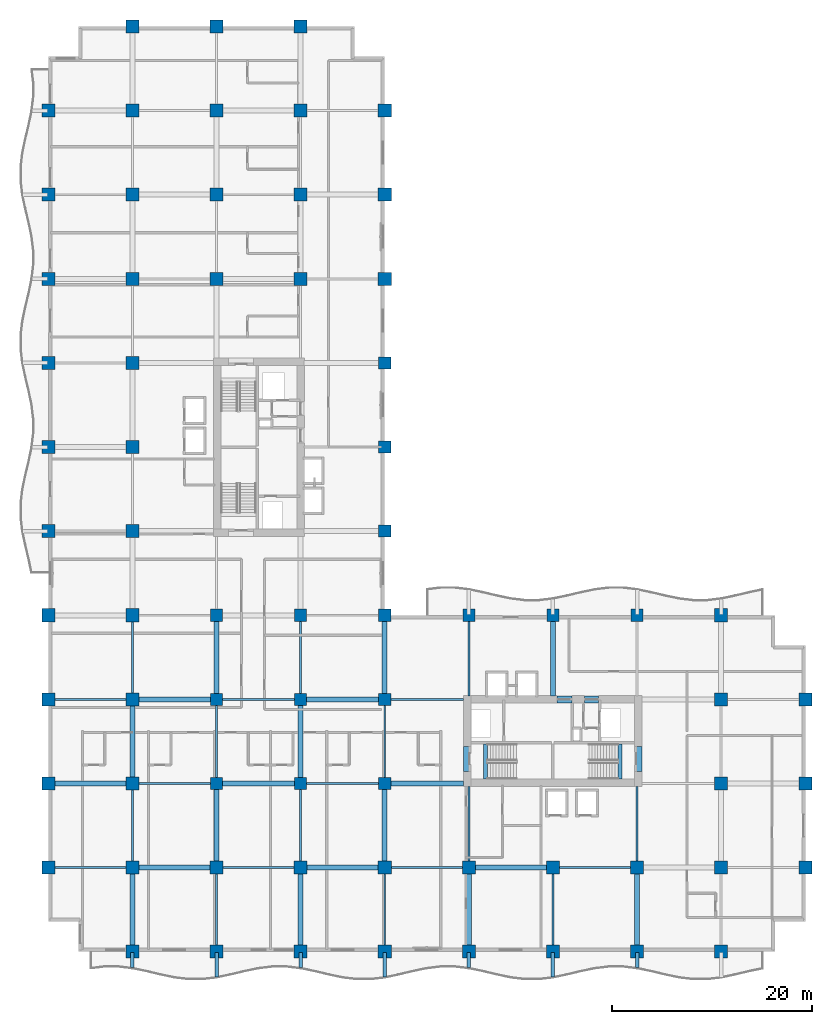
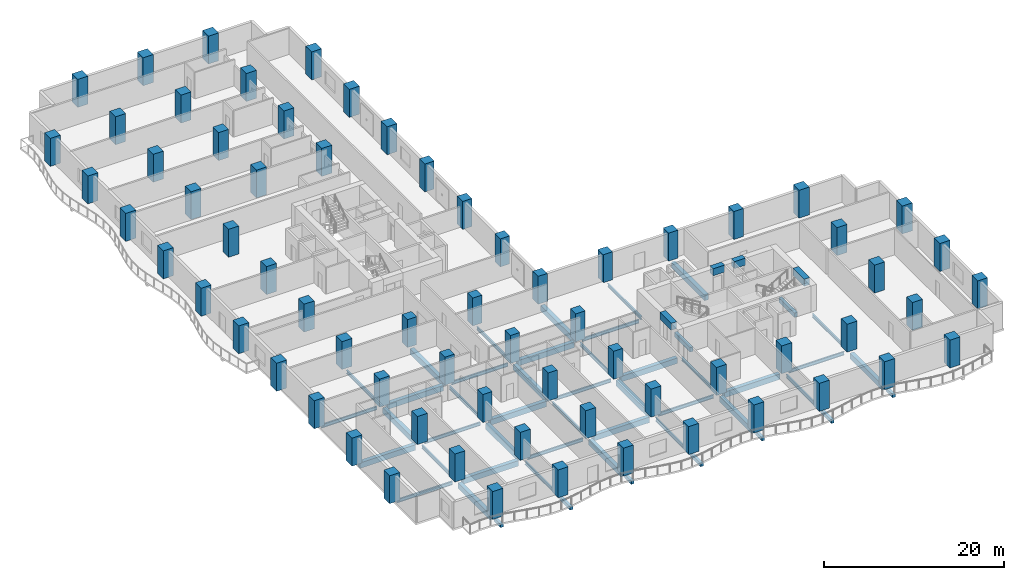
# One storey, part 1 of 17: 68 columns, 53 beams.
"""IFC4 building model written with IfcOpenShell, lengths in metres."""

from ifc_helpers import new_model, si_unit, direction, frame, origin, origin_2d, place, context, subcontext, project, spatial, rectangle, i_section, extrude, material, material_profile, profile_set, type_object, element, save


model = new_model("IFC4")

# Units and contexts
model_context = context("Model", 3, precision=1e-05, world=origin(), true_north=direction((0.0, 1.0)))
body_context = subcontext(model_context, "Body", "Model", "MODEL_VIEW")
ifc_project = project(units=[si_unit("LENGTHUNIT", "METRE"), si_unit("AREAUNIT", "SQUARE_METRE"), si_unit("VOLUMEUNIT", "CUBIC_METRE"), si_unit("PLANEANGLEUNIT", "RADIAN"), si_unit("MASSUNIT", "GRAM", prefix="KILO")], contexts=[model_context])

# Site, building, storey
site_placement = place(None, origin())
site = spatial("IfcSite", under=ifc_project, at=site_placement, CompositionType="ELEMENT")
building_placement = place(site_placement, origin())
building = spatial("IfcBuilding", under=site, at=building_placement, Name="Koriwani Terraces Tower", CompositionType="ELEMENT")
storey_placement = place(building_placement, frame((0.0, 0.0, 130.39990234375)))
storey = spatial("IfcBuildingStorey", under=building, at=storey_placement, Name="L31", CompositionType="ELEMENT", Elevation=130.39990234375)

# Columns
ifc_material_1 = material(Name="Concrete C60/75", Category="concrete")
ifc_material_profile_1 = material_profile(ifc_material_1, rectangle(XDim=1.199951171875, YDim=1.199951171875, at=origin_2d()), Name="Concrete C60/75", Category="LoadBearing")
ifc_profile_set_1 = profile_set([ifc_material_profile_1], Name="Concrete C60/75")
column_type_1 = type_object("IfcColumnType", Name="COL_RC_1200X1200", PredefinedType="COLUMN", material=ifc_profile_set_1)
for number, where, z_axis, x_axis, name in (
    (1, (16.800048828125, 16.800048828125, 0.0), (0.0, 0.0, 1.0), (1.0, 0.0, 0.0), "L31 Column 3/C"),
    (2, (16.800048828125, 25.199951171875, 0.0), (0.0, 0.0, 1.0), (1.0, 0.0, 0.0), "L31 Column 3/D"),
    (3, (16.800048828125, 33.60009765625, 0.0), (0.0, 0.0, 1.0), (1.0, 0.0, 0.0), "L31 Column 3/E"),
    (4, (25.199951171875, 16.800048828125, 0.0), (0.0, 0.0, 1.0), (1.0, 0.0, 0.0), "L31 Column 4/C"),
    (5, (25.199951171875, 25.199951171875, 0.0), (0.0, 0.0, 1.0), (1.0, 0.0, 0.0), "L31 Column 4/D"),
    (6, (25.199951171875, 33.60009765625, 0.0), (0.0, 0.0, 1.0), (1.0, 0.0, 0.0), "L31 Column 4/E"),
    (7, (33.60009765625, 16.800048828125, 0.0), (0.0, 0.0, 1.0), (1.0, 0.0, 0.0), "L31 Column 5/C"),
    (8, (33.60009765625, 25.199951171875, 0.0), (0.0, 0.0, 1.0), (1.0, 0.0, 0.0), "L31 Column 5/D"),
    (9, (33.60009765625, 33.60009765625, 0.0), (0.0, 0.0, 1.0), (1.0, 0.0, 0.0), "L31 Column 5/E"),
    (10, (33.60009765625, 42.0, 0.0), (0.0, 0.0, 1.0), (1.0, 0.0, 0.0), "L31 Column 5/F"),
    (11, (33.60009765625, 50.39990234375, 0.0), (0.0, 0.0, 1.0), (1.0, 0.0, 0.0), "L31 Column 5/G"),
    (12, (33.60009765625, 58.800048828125, 0.0), (0.0, 0.0, 1.0), (1.0, 0.0, 0.0), "L31 Column 5/H"),
    (13, (42.0, 33.60009765625, 0.0), (0.0, 0.0, 1.0), (1.0, 0.0, 0.0), "L31 Column 6/E"),
    (14, (50.39990234375, 33.60009765625, 0.0), (0.0, 0.0, 1.0), (1.0, 0.0, 0.0), "L31 Column 7/E"),
    (15, (58.800048828125, 33.60009765625, 0.0), (0.0, 0.0, 1.0), (1.0, 0.0, 0.0), "L31 Column 8/E"),
):
    element("IfcColumn", number, at=place(storey_placement, frame(where, z_axis=z_axis, x_axis=x_axis)), inside=storey, type_object=column_type_1, Name=name, PredefinedType="COLUMN", context=body_context, shape_type="SweptSolid", body=[
        extrude(rectangle(XDim=1.199951171875, YDim=1.199951171875, at=origin_2d()), origin(), (0.0, 0.0, 1.0), 3.800048828125),
    ])
ifc_material_profile_2 = material_profile(ifc_material_1, rectangle(XDim=1.300048828125, YDim=1.300048828125, at=origin_2d()), Name="Concrete C60/75", Category="LoadBearing")
ifc_profile_set_2 = profile_set([ifc_material_profile_2], Name="Concrete C60/75")
column_type_2 = type_object("IfcColumnType", Name="COL_RC_1300X1300", PredefinedType="COLUMN", material=ifc_profile_set_2)
for number, where, z_axis, x_axis, name in (
    (16, (0.0, 8.39990234375, 0.0), (0.0, 0.0, 1.0), (1.0, 0.0, 0.0), "L31 Column 1/B"),
    (17, (0.0, 16.800048828125, 0.0), (0.0, 0.0, 1.0), (1.0, 0.0, 0.0), "L31 Column 1/C"),
    (18, (0.0, 25.199951171875, 0.0), (0.0, 0.0, 1.0), (1.0, 0.0, 0.0), "L31 Column 1/D"),
    (19, (0.0, 33.60009765625, 0.0), (0.0, 0.0, 1.0), (1.0, 0.0, 0.0), "L31 Column 1/E"),
    (20, (0.0, 42.0, 0.0), (0.0, 0.0, 1.0), (1.0, 0.0, 0.0), "L31 Column 1/F"),
    (21, (0.0, 50.39990234375, 0.0), (0.0, 0.0, 1.0), (1.0, 0.0, 0.0), "L31 Column 1/G"),
    (22, (0.0, 58.800048828125, 0.0), (0.0, 0.0, 1.0), (1.0, 0.0, 0.0), "L31 Column 1/H"),
    (23, (0.0, 67.199951171875, 0.0), (0.0, 0.0, 1.0), (1.0, 0.0, 0.0), "L31 Column 1/I"),
    (24, (0.0, 75.60009765625, 0.0), (0.0, 0.0, 1.0), (1.0, 0.0, 0.0), "L31 Column 1/J"),
    (25, (0.0, 84.0, 0.0), (0.0, 0.0, 1.0), (1.0, 0.0, 0.0), "L31 Column 1/K"),
    (26, (8.39990234375, 0.0, 0.0), (0.0, 0.0, 1.0), (1.0, 0.0, 0.0), "L31 Column 2/A"),
    (27, (8.39990234375, 8.39990234375, 0.0), (0.0, 0.0, 1.0), (1.0, 0.0, 0.0), "L31 Column 2/B"),
    (28, (8.39990234375, 16.800048828125, 0.0), (0.0, 0.0, 1.0), (1.0, 0.0, 0.0), "L31 Column 2/C"),
    (29, (8.39990234375, 25.199951171875, 0.0), (0.0, 0.0, 1.0), (1.0, 0.0, 0.0), "L31 Column 2/D"),
    (30, (8.39990234375, 33.60009765625, 0.0), (0.0, 0.0, 1.0), (1.0, 0.0, 0.0), "L31 Column 2/E"),
    (31, (8.39990234375, 42.0, 0.0), (0.0, 0.0, 1.0), (1.0, 0.0, 0.0), "L31 Column 2/F"),
    (32, (8.39990234375, 50.39990234375, 0.0), (0.0, 0.0, 1.0), (1.0, 0.0, 0.0), "L31 Column 2/G"),
    (33, (8.39990234375, 58.800048828125, 0.0), (0.0, 0.0, 1.0), (1.0, 0.0, 0.0), "L31 Column 2/H"),
    (34, (8.39990234375, 67.199951171875, 0.0), (0.0, 0.0, 1.0), (1.0, 0.0, 0.0), "L31 Column 2/I"),
    (35, (8.39990234375, 75.60009765625, 0.0), (0.0, 0.0, 1.0), (1.0, 0.0, 0.0), "L31 Column 2/J"),
    (36, (8.39990234375, 84.0, 0.0), (0.0, 0.0, 1.0), (1.0, 0.0, 0.0), "L31 Column 2/K"),
    (37, (8.39990234375, 92.39990234375, 0.0), (0.0, 0.0, 1.0), (1.0, 0.0, 0.0), "L31 Column 2/L"),
    (38, (16.800048828125, 0.0, 0.0), (0.0, 0.0, 1.0), (1.0, 0.0, 0.0), "L31 Column 3/A"),
    (39, (16.800048828125, 8.39990234375, 0.0), (0.0, 0.0, 1.0), (1.0, 0.0, 0.0), "L31 Column 3/B"),
    (40, (16.800048828125, 67.199951171875, 0.0), (0.0, 0.0, 1.0), (1.0, 0.0, 0.0), "L31 Column 3/I"),
    (41, (16.800048828125, 75.60009765625, 0.0), (0.0, 0.0, 1.0), (1.0, 0.0, 0.0), "L31 Column 3/J"),
    (42, (16.800048828125, 84.0, 0.0), (0.0, 0.0, 1.0), (1.0, 0.0, 0.0), "L31 Column 3/K"),
    (43, (16.800048828125, 92.39990234375, 0.0), (0.0, 0.0, 1.0), (1.0, 0.0, 0.0), "L31 Column 3/L"),
    (44, (25.199951171875, 0.0, 0.0), (0.0, 0.0, 1.0), (1.0, 0.0, 0.0), "L31 Column 4/A"),
    (45, (25.199951171875, 8.39990234375, 0.0), (0.0, 0.0, 1.0), (1.0, 0.0, 0.0), "L31 Column 4/B"),
    (46, (25.199951171875, 67.199951171875, 0.0), (0.0, 0.0, 1.0), (1.0, 0.0, 0.0), "L31 Column 4/I"),
    (47, (25.199951171875, 75.60009765625, 0.0), (0.0, 0.0, 1.0), (1.0, 0.0, 0.0), "L31 Column 4/J"),
    (48, (25.199951171875, 84.0, 0.0), (0.0, 0.0, 1.0), (1.0, 0.0, 0.0), "L31 Column 4/K"),
    (49, (25.199951171875, 92.39990234375, 0.0), (0.0, 0.0, 1.0), (1.0, 0.0, 0.0), "L31 Column 4/L"),
    (50, (33.60009765625, 0.0, 0.0), (0.0, 0.0, 1.0), (1.0, 0.0, 0.0), "L31 Column 5/A"),
    (51, (33.60009765625, 8.39990234375, 0.0), (0.0, 0.0, 1.0), (1.0, 0.0, 0.0), "L31 Column 5/B"),
    (52, (33.60009765625, 67.199951171875, 0.0), (0.0, 0.0, 1.0), (1.0, 0.0, 0.0), "L31 Column 5/I"),
    (53, (33.60009765625, 75.60009765625, 0.0), (0.0, 0.0, 1.0), (1.0, 0.0, 0.0), "L31 Column 5/J"),
    (54, (33.60009765625, 84.0, 0.0), (0.0, 0.0, 1.0), (1.0, 0.0, 0.0), "L31 Column 5/K"),
    (55, (42.0, 0.0, 0.0), (0.0, 0.0, 1.0), (1.0, 0.0, 0.0), "L31 Column 6/A"),
    (56, (42.0, 8.39990234375, 0.0), (0.0, 0.0, 1.0), (1.0, 0.0, 0.0), "L31 Column 6/B"),
    (57, (50.39990234375, 0.0, 0.0), (0.0, 0.0, 1.0), (1.0, 0.0, 0.0), "L31 Column 7/A"),
    (58, (50.39990234375, 8.39990234375, 0.0), (0.0, 0.0, 1.0), (1.0, 0.0, 0.0), "L31 Column 7/B"),
    (59, (58.800048828125, 0.0, 0.0), (0.0, 0.0, 1.0), (1.0, 0.0, 0.0), "L31 Column 8/A"),
    (60, (58.800048828125, 8.39990234375, 0.0), (0.0, 0.0, 1.0), (1.0, 0.0, 0.0), "L31 Column 8/B"),
    (61, (67.199951171875, 0.0, 0.0), (0.0, 0.0, 1.0), (1.0, 0.0, 0.0), "L31 Column 9/A"),
    (62, (67.199951171875, 8.39990234375, 0.0), (0.0, 0.0, 1.0), (1.0, 0.0, 0.0), "L31 Column 9/B"),
    (63, (67.199951171875, 16.800048828125, 0.0), (0.0, 0.0, 1.0), (1.0, 0.0, 0.0), "L31 Column 9/C"),
    (64, (67.199951171875, 25.199951171875, 0.0), (0.0, 0.0, 1.0), (1.0, 0.0, 0.0), "L31 Column 9/D"),
    (65, (67.199951171875, 33.60009765625, 0.0), (0.0, 0.0, 1.0), (1.0, 0.0, 0.0), "L31 Column 9/E"),
    (66, (75.60009765625, 8.39990234375, 0.0), (0.0, 0.0, 1.0), (1.0, 0.0, 0.0), "L31 Column 10/B"),
    (67, (75.60009765625, 16.800048828125, 0.0), (0.0, 0.0, 1.0), (1.0, 0.0, 0.0), "L31 Column 10/C"),
    (68, (75.60009765625, 25.199951171875, 0.0), (0.0, 0.0, 1.0), (1.0, 0.0, 0.0), "L31 Column 10/D"),
):
    element("IfcColumn", number, at=place(storey_placement, frame(where, z_axis=z_axis, x_axis=x_axis)), inside=storey, type_object=column_type_2, Name=name, PredefinedType="COLUMN", context=body_context, shape_type="SweptSolid", body=[
        extrude(rectangle(XDim=1.300048828125, YDim=1.300048828125, at=origin_2d()), origin(), (0.0, 0.0, 1.0), 3.800048828125),
    ])

# Beams
ifc_material_2 = material(Name="Concrete C40/50", Category="concrete")
ifc_material_profile_3 = material_profile(ifc_material_2, rectangle(XDim=0.35009765625, YDim=0.449951171875, at=origin_2d()), Name="Concrete C40/50", Category="LoadBearing")
ifc_profile_set_3 = profile_set([ifc_material_profile_3], Name="Concrete C40/50")
beam_type_1 = type_object("IfcBeamType", Name="BEAM_RC_BALCONY_RIB_350X450", PredefinedType="JOIST", material=ifc_profile_set_3)
beam_1_placement = place(storey_placement, frame((8.39990234375, -1.59033203125, -0.474853515625), z_axis=(0.0, 1.0, 0.0), x_axis=(-1.0, 0.0, 0.0)))
element("IfcBeam", 69, at=beam_1_placement, inside=storey, type_object=beam_type_1, Name="L31 Balcony Bracket Rib S-1", PredefinedType="JOIST", context=body_context, shape_type="SweptSolid", body=[
    extrude(rectangle(XDim=0.35009765625, YDim=0.449951171875, at=origin_2d()), origin(), (0.0, 0.0, 1.0), 1.490234375),
])
beam_2_placement = place(storey_placement, frame((16.800048828125, -2.509521484375, -0.474853515625), z_axis=(0.0, 1.0, 0.0), x_axis=(-1.0, 0.0, 0.0)))
element("IfcBeam", 70, at=beam_2_placement, inside=storey, type_object=beam_type_1, Name="L31 Balcony Bracket Rib S-2", PredefinedType="JOIST", context=body_context, shape_type="SweptSolid", body=[
    extrude(rectangle(XDim=0.35009765625, YDim=0.449951171875, at=origin_2d()), origin(), (0.0, 0.0, 1.0), 2.409423828125),
])
beam_3_placement = place(storey_placement, frame((25.199951171875, -1.59033203125, -0.474853515625), z_axis=(0.0, 1.0, 0.0), x_axis=(-1.0, 0.0, 0.0)))
element("IfcBeam", 71, at=beam_3_placement, inside=storey, type_object=beam_type_1, Name="L31 Balcony Bracket Rib S-3", PredefinedType="JOIST", context=body_context, shape_type="SweptSolid", body=[
    extrude(rectangle(XDim=0.35009765625, YDim=0.449951171875, at=origin_2d()), origin(), (0.0, 0.0, 1.0), 1.490234375),
])
beam_4_placement = place(storey_placement, frame((33.60009765625, -2.509521484375, -0.474853515625), z_axis=(0.0, 1.0, 0.0), x_axis=(-1.0, 0.0, 0.0)))
element("IfcBeam", 72, at=beam_4_placement, inside=storey, type_object=beam_type_1, Name="L31 Balcony Bracket Rib S-4", PredefinedType="JOIST", context=body_context, shape_type="SweptSolid", body=[
    extrude(rectangle(XDim=0.35009765625, YDim=0.449951171875, at=origin_2d()), origin(), (0.0, 0.0, 1.0), 2.409423828125),
])
beam_5_placement = place(storey_placement, frame((42.0, -1.59033203125, -0.474853515625), z_axis=(0.0, 1.0, 0.0), x_axis=(-1.0, 0.0, 0.0)))
element("IfcBeam", 73, at=beam_5_placement, inside=storey, type_object=beam_type_1, Name="L31 Balcony Bracket Rib S-5", PredefinedType="JOIST", context=body_context, shape_type="SweptSolid", body=[
    extrude(rectangle(XDim=0.35009765625, YDim=0.449951171875, at=origin_2d()), origin(), (0.0, 0.0, 1.0), 1.490234375),
])
beam_6_placement = place(storey_placement, frame((50.39990234375, -2.509521484375, -0.474853515625), z_axis=(0.0, 1.0, 0.0), x_axis=(-1.0, 0.0, 0.0)))
element("IfcBeam", 74, at=beam_6_placement, inside=storey, type_object=beam_type_1, Name="L31 Balcony Bracket Rib S-6", PredefinedType="JOIST", context=body_context, shape_type="SweptSolid", body=[
    extrude(rectangle(XDim=0.35009765625, YDim=0.449951171875, at=origin_2d()), origin(), (0.0, 0.0, 1.0), 2.409423828125),
])
beam_7_placement = place(storey_placement, frame((58.800048828125, -1.59033203125, -0.474853515625), z_axis=(0.0, 1.0, 0.0), x_axis=(-1.0, 0.0, 0.0)))
element("IfcBeam", 75, at=beam_7_placement, inside=storey, type_object=beam_type_1, Name="L31 Balcony Bracket Rib S-7", PredefinedType="JOIST", context=body_context, shape_type="SweptSolid", body=[
    extrude(rectangle(XDim=0.35009765625, YDim=0.449951171875, at=origin_2d()), origin(), (0.0, 0.0, 1.0), 1.490234375),
])
ifc_material_profile_4 = material_profile(ifc_material_1, rectangle(XDim=0.699951171875, YDim=0.949951171875, at=origin_2d()), Name="Concrete C60/75", Category="LoadBearing")
ifc_profile_set_4 = profile_set([ifc_material_profile_4], Name="Concrete C60/75")
beam_type_2 = type_object("IfcBeamType", Name="BEAM_RC_COUPLING_700X950", PredefinedType="LINTEL", material=ifc_profile_set_4)
beam_8_placement = place(storey_placement, frame((50.800048828125, 25.199951171875, 3.0751953125), z_axis=(1.0, 0.0, 0.0), x_axis=(0.0, 1.0, 0.0)))
element("IfcBeam", 76, at=beam_8_placement, inside=storey, type_object=beam_type_2, Name="L31 Core Coupling Lintel Beam EN1", PredefinedType="LINTEL", context=body_context, shape_type="SweptSolid", body=[
    extrude(rectangle(XDim=0.699951171875, YDim=0.949951171875, at=origin_2d()), origin(), (0.0, 0.0, 1.0), 1.47998046875),
])
beam_9_placement = place(storey_placement, frame((53.550048828125, 25.199951171875, 3.0751953125), z_axis=(1.0, 0.0, 0.0), x_axis=(0.0, 1.0, 0.0)))
element("IfcBeam", 77, at=beam_9_placement, inside=storey, type_object=beam_type_2, Name="L31 Core Coupling Lintel Beam EN2", PredefinedType="LINTEL", context=body_context, shape_type="SweptSolid", body=[
    extrude(rectangle(XDim=0.699951171875, YDim=0.949951171875, at=origin_2d()), origin(), (0.0, 0.0, 1.0), 1.39990234375),
])
for number, where, z_axis, x_axis, name in (
    (78, (41.824951171875, 18.0, 3.0751953125), (0.0, 1.0, 0.0), (-1.0, 0.0, 0.0), "L31 Core Coupling Lintel Beam EW"),
    (79, (58.925048828125, 18.0, 3.0751953125), (0.0, 1.0, 0.0), (-1.0, 0.0, 0.0), "L31 Core Coupling Lintel Beam EE"),
):
    element("IfcBeam", number, at=place(storey_placement, frame(where, z_axis=z_axis, x_axis=x_axis)), inside=storey, type_object=beam_type_2, Name=name, PredefinedType="LINTEL", context=body_context, shape_type="SweptSolid", body=[
        extrude(rectangle(XDim=0.699951171875, YDim=0.949951171875, at=origin_2d()), origin(), (0.0, 0.0, 1.0), 2.5),
    ])
ifc_material_profile_5 = material_profile(ifc_material_2, rectangle(XDim=0.39990234375, YDim=0.60009765625, at=origin_2d()), Name="Concrete C40/50", Category="LoadBearing")
ifc_profile_set_5 = profile_set([ifc_material_profile_5], Name="Concrete C40/50")
beam_type_3 = type_object("IfcBeamType", Name="BEAM_RC_GRID_400X600", PredefinedType="BEAM", material=ifc_profile_set_5)
for number, where, z_axis, x_axis, name in (
    (80, (43.655029296875, 17.25, -0.2998046875), (0.0, 1.0, 0.0), (-1.0, 0.0, 0.0), "L31 Stairwell Header Trimmer Beam ST-E1"),
    (81, (57.094970703125, 17.25, -0.2998046875), (0.0, 1.0, 0.0), (-1.0, 0.0, 0.0), "L31 Stairwell Header Trimmer Beam ST-E2"),
):
    element("IfcBeam", number, at=place(storey_placement, frame(where, z_axis=z_axis, x_axis=x_axis)), inside=storey, type_object=beam_type_3, Name=name, PredefinedType="BEAM", context=body_context, shape_type="SweptSolid", body=[
        extrude(rectangle(XDim=0.39990234375, YDim=0.60009765625, at=origin_2d()), origin(), (0.0, 0.0, 1.0), 3.5),
    ])
ifc_material_3 = material(Name="Concrete C50/60", Category="concrete")
ifc_material_profile_6 = material_profile(ifc_material_3, rectangle(XDim=0.5, YDim=0.75, at=origin_2d()), Name="Concrete C50/60", Category="LoadBearing")
ifc_profile_set_6 = profile_set([ifc_material_profile_6], Name="Concrete C50/60")
beam_type_4 = type_object("IfcBeamType", Name="BEAM_RC_GRID_500X750", PredefinedType="BEAM", material=ifc_profile_set_6)
for number, where, z_axis, x_axis, name in (
    (82, (9.030029296875, 8.39990234375, -0.625), (1.0, 0.0, 0.0), (0.0, 1.0, 0.0), "L31 Grid Beam B (8.4-16.8m)"),
    (83, (25.830078125, 8.39990234375, -0.625), (1.0, 0.0, 0.0), (0.0, 1.0, 0.0), "L31 Grid Beam B (25.2-33.6m)"),
):
    element("IfcBeam", number, at=place(storey_placement, frame(where, z_axis=z_axis, x_axis=x_axis)), inside=storey, type_object=beam_type_4, Name=name, PredefinedType="BEAM", context=body_context, shape_type="SweptSolid", body=[
        extrude(rectangle(XDim=0.5, YDim=0.75, at=origin_2d()), origin(), (0.0, 0.0, 1.0), 7.139892578125),
    ])
for number, where, z_axis, x_axis, name in (
    (84, (42.6298828125, 8.39990234375, -0.625), (1.0, 0.0, 0.0), (0.0, 1.0, 0.0), "L31 Grid Beam B (42.0-50.4m)"),
    (85, (0.6298828125, 16.800048828125, -0.625), (1.0, 0.0, 0.0), (0.0, 1.0, 0.0), "L31 Grid Beam C (0.0-8.4m)"),
):
    element("IfcBeam", number, at=place(storey_placement, frame(where, z_axis=z_axis, x_axis=x_axis)), inside=storey, type_object=beam_type_4, Name=name, PredefinedType="BEAM", context=body_context, shape_type="SweptSolid", body=[
        extrude(rectangle(XDim=0.5, YDim=0.75, at=origin_2d()), origin(), (0.0, 0.0, 1.0), 7.14013671875),
    ])
beam_10_placement = place(storey_placement, frame((17.3798828125, 16.800048828125, -0.625), z_axis=(1.0, 0.0, 0.0), x_axis=(0.0, 1.0, 0.0)))
element("IfcBeam", 86, at=beam_10_placement, inside=storey, type_object=beam_type_4, Name="L31 Grid Beam C (16.8-25.2m)", PredefinedType="BEAM", context=body_context, shape_type="SweptSolid", body=[
    extrude(rectangle(XDim=0.5, YDim=0.75, at=origin_2d()), origin(), (0.0, 0.0, 1.0), 7.240234375),
])
beam_11_placement = place(storey_placement, frame((34.179931640625, 16.800048828125, -0.625), z_axis=(1.0, 0.0, 0.0), x_axis=(0.0, 1.0, 0.0)))
element("IfcBeam", 87, at=beam_11_placement, inside=storey, type_object=beam_type_4, Name="L31 Grid Beam C (33.6-42.0m)", PredefinedType="BEAM", context=body_context, shape_type="SweptSolid", body=[
    extrude(rectangle(XDim=0.5, YDim=0.75, at=origin_2d()), origin(), (0.0, 0.0, 1.0), 7.2900390625),
])
beam_12_placement = place(storey_placement, frame((9.030029296875, 25.199951171875, -0.625), z_axis=(1.0, 0.0, 0.0), x_axis=(0.0, 1.0, 0.0)))
element("IfcBeam", 88, at=beam_12_placement, inside=storey, type_object=beam_type_4, Name="L31 Grid Beam D (8.4-16.8m)", PredefinedType="BEAM", context=body_context, shape_type="SweptSolid", body=[
    extrude(rectangle(XDim=0.5, YDim=0.75, at=origin_2d()), origin(), (0.0, 0.0, 1.0), 7.18994140625),
])
beam_13_placement = place(storey_placement, frame((25.780029296875, 25.199951171875, -0.625), z_axis=(1.0, 0.0, 0.0), x_axis=(0.0, 1.0, 0.0)))
element("IfcBeam", 89, at=beam_13_placement, inside=storey, type_object=beam_type_4, Name="L31 Grid Beam D (25.2-33.6m)", PredefinedType="BEAM", context=body_context, shape_type="SweptSolid", body=[
    extrude(rectangle(XDim=0.5, YDim=0.75, at=origin_2d()), origin(), (0.0, 0.0, 1.0), 7.239990234375),
])
for number, where, z_axis, x_axis, name in (
    (90, (8.39990234375, 0.6298828125, -0.625), (0.0, 1.0, 0.0), (-1.0, 0.0, 0.0), "L31 Grid Beam 2 (0.0-8.4m)"),
    (91, (8.39990234375, 17.429931640625, -0.625), (0.0, 1.0, 0.0), (-1.0, 0.0, 0.0), "L31 Grid Beam 2 (16.8-25.2m)"),
):
    element("IfcBeam", number, at=place(storey_placement, frame(where, z_axis=z_axis, x_axis=x_axis)), inside=storey, type_object=beam_type_4, Name=name, PredefinedType="BEAM", context=body_context, shape_type="SweptSolid", body=[
        extrude(rectangle(XDim=0.5, YDim=0.75, at=origin_2d()), origin(), (0.0, 0.0, 1.0), 7.14013671875),
    ])
beam_14_placement = place(storey_placement, frame((16.800048828125, 9.030029296875, -0.625), z_axis=(0.0, 1.0, 0.0), x_axis=(-1.0, 0.0, 0.0)))
element("IfcBeam", 92, at=beam_14_placement, inside=storey, type_object=beam_type_4, Name="L31 Grid Beam 3 (8.4-16.8m)", PredefinedType="BEAM", context=body_context, shape_type="SweptSolid", body=[
    extrude(rectangle(XDim=0.5, YDim=0.75, at=origin_2d()), origin(), (0.0, 0.0, 1.0), 7.18994140625),
])
beam_15_placement = place(storey_placement, frame((16.800048828125, 25.780029296875, -0.625), z_axis=(0.0, 1.0, 0.0), x_axis=(-1.0, 0.0, 0.0)))
element("IfcBeam", 93, at=beam_15_placement, inside=storey, type_object=beam_type_4, Name="L31 Grid Beam 3 (25.2-33.6m)", PredefinedType="BEAM", context=body_context, shape_type="SweptSolid", body=[
    extrude(rectangle(XDim=0.5, YDim=0.75, at=origin_2d()), origin(), (0.0, 0.0, 1.0), 7.239990234375),
])
beam_16_placement = place(storey_placement, frame((25.199951171875, 0.6298828125, -0.625), z_axis=(0.0, 1.0, 0.0), x_axis=(-1.0, 0.0, 0.0)))
element("IfcBeam", 94, at=beam_16_placement, inside=storey, type_object=beam_type_4, Name="L31 Grid Beam 4 (0.0-8.4m)", PredefinedType="BEAM", context=body_context, shape_type="SweptSolid", body=[
    extrude(rectangle(XDim=0.5, YDim=0.75, at=origin_2d()), origin(), (0.0, 0.0, 1.0), 7.14013671875),
])
beam_17_placement = place(storey_placement, frame((25.199951171875, 17.3798828125, -0.625), z_axis=(0.0, 1.0, 0.0), x_axis=(-1.0, 0.0, 0.0)))
element("IfcBeam", 95, at=beam_17_placement, inside=storey, type_object=beam_type_4, Name="L31 Grid Beam 4 (16.8-25.2m)", PredefinedType="BEAM", context=body_context, shape_type="SweptSolid", body=[
    extrude(rectangle(XDim=0.5, YDim=0.75, at=origin_2d()), origin(), (0.0, 0.0, 1.0), 7.240234375),
])
beam_18_placement = place(storey_placement, frame((33.60009765625, 9.030029296875, -0.625), z_axis=(0.0, 1.0, 0.0), x_axis=(-1.0, 0.0, 0.0)))
element("IfcBeam", 96, at=beam_18_placement, inside=storey, type_object=beam_type_4, Name="L31 Grid Beam 5 (8.4-16.8m)", PredefinedType="BEAM", context=body_context, shape_type="SweptSolid", body=[
    extrude(rectangle(XDim=0.5, YDim=0.75, at=origin_2d()), origin(), (0.0, 0.0, 1.0), 7.18994140625),
])
beam_19_placement = place(storey_placement, frame((33.60009765625, 25.780029296875, -0.625), z_axis=(0.0, 1.0, 0.0), x_axis=(-1.0, 0.0, 0.0)))
element("IfcBeam", 97, at=beam_19_placement, inside=storey, type_object=beam_type_4, Name="L31 Grid Beam 5 (25.2-33.6m)", PredefinedType="BEAM", context=body_context, shape_type="SweptSolid", body=[
    extrude(rectangle(XDim=0.5, YDim=0.75, at=origin_2d()), origin(), (0.0, 0.0, 1.0), 7.239990234375),
])
beam_20_placement = place(storey_placement, frame((42.0, 0.6298828125, -0.625), z_axis=(0.0, 1.0, 0.0), x_axis=(-1.0, 0.0, 0.0)))
element("IfcBeam", 98, at=beam_20_placement, inside=storey, type_object=beam_type_4, Name="L31 Grid Beam 6 (0.0-8.4m)", PredefinedType="BEAM", context=body_context, shape_type="SweptSolid", body=[
    extrude(rectangle(XDim=0.5, YDim=0.75, at=origin_2d()), origin(), (0.0, 0.0, 1.0), 7.14013671875),
])
beam_21_placement = place(storey_placement, frame((50.39990234375, 25.554931640625, -0.625), z_axis=(0.0, 1.0, 0.0), x_axis=(-1.0, 0.0, 0.0)))
element("IfcBeam", 99, at=beam_21_placement, inside=storey, type_object=beam_type_4, Name="L31 Grid Beam 7 (25.2-33.6m)", PredefinedType="BEAM", context=body_context, shape_type="SweptSolid", body=[
    extrude(rectangle(XDim=0.5, YDim=0.75, at=origin_2d()), origin(), (0.0, 0.0, 1.0), 7.465087890625),
])
beam_22_placement = place(storey_placement, frame((58.800048828125, 0.6298828125, -0.625), z_axis=(0.0, 1.0, 0.0), x_axis=(-1.0, 0.0, 0.0)))
element("IfcBeam", 100, at=beam_22_placement, inside=storey, type_object=beam_type_4, Name="L31 Grid Beam 8 (0.0-8.4m)", PredefinedType="BEAM", context=body_context, shape_type="SweptSolid", body=[
    extrude(rectangle(XDim=0.5, YDim=0.75, at=origin_2d()), origin(), (0.0, 0.0, 1.0), 7.14013671875),
])
ifc_material_4 = material(Name="Steel ASTM A572 Grade 50", Category="steel")
ifc_material_profile_7 = material_profile(ifc_material_4, i_section(OverallWidth=0.19189453125, OverallDepth=0.462890625, WebThickness=0.010498046875, FlangeThickness=0.01611328125, at=origin_2d()), Name="Steel ASTM A572 Grade 50", Category="LoadBearing")
ifc_profile_set_7 = profile_set([ifc_material_profile_7], Name="Steel ASTM A572 Grade 50")
beam_type_5 = type_object("IfcBeamType", Name="STEEL_BEAM_W460X89", PredefinedType="BEAM", material=ifc_profile_set_7)
for number, where, z_axis, x_axis, name in (
    (101, (0.6298828125, 8.39990234375, -0.4814453125), (1.0, 0.0, 0.0), (0.0, 1.0, 0.0), "L31 Grid Beam B (0.0-8.4m)"),
    (102, (17.429931640625, 8.39990234375, -0.4814453125), (1.0, 0.0, 0.0), (0.0, 1.0, 0.0), "L31 Grid Beam B (16.8-25.2m)"),
    (103, (34.22998046875, 8.39990234375, -0.4814453125), (1.0, 0.0, 0.0), (0.0, 1.0, 0.0), "L31 Grid Beam B (33.6-42.0m)"),
):
    element("IfcBeam", number, at=place(storey_placement, frame(where, z_axis=z_axis, x_axis=x_axis)), inside=storey, type_object=beam_type_5, Name=name, PredefinedType="BEAM", context=body_context, shape_type="SweptSolid", body=[
        extrude(i_section(OverallWidth=0.19189453125, OverallDepth=0.462890625, WebThickness=0.010498046875, FlangeThickness=0.01611328125, at=origin_2d()), origin(), (0.0, 0.0, 1.0), 7.14013671875),
    ])
beam_23_placement = place(storey_placement, frame((51.030029296875, 8.39990234375, -0.4814453125), z_axis=(1.0, 0.0, 0.0), x_axis=(0.0, 1.0, 0.0)))
element("IfcBeam", 104, at=beam_23_placement, inside=storey, type_object=beam_type_5, Name="L31 Grid Beam B (50.4-58.8m)", PredefinedType="BEAM", context=body_context, shape_type="SweptSolid", body=[
    extrude(i_section(OverallWidth=0.19189453125, OverallDepth=0.462890625, WebThickness=0.010498046875, FlangeThickness=0.01611328125, at=origin_2d()), origin(), (0.0, 0.0, 1.0), 7.139892578125),
])
beam_24_placement = place(storey_placement, frame((9.030029296875, 16.800048828125, -0.4814453125), z_axis=(1.0, 0.0, 0.0), x_axis=(0.0, 1.0, 0.0)))
element("IfcBeam", 105, at=beam_24_placement, inside=storey, type_object=beam_type_5, Name="L31 Grid Beam C (8.4-16.8m)", PredefinedType="BEAM", context=body_context, shape_type="SweptSolid", body=[
    extrude(i_section(OverallWidth=0.19189453125, OverallDepth=0.462890625, WebThickness=0.010498046875, FlangeThickness=0.01611328125, at=origin_2d()), origin(), (0.0, 0.0, 1.0), 7.18994140625),
])
beam_25_placement = place(storey_placement, frame((25.780029296875, 16.800048828125, -0.4814453125), z_axis=(1.0, 0.0, 0.0), x_axis=(0.0, 1.0, 0.0)))
element("IfcBeam", 106, at=beam_25_placement, inside=storey, type_object=beam_type_5, Name="L31 Grid Beam C (25.2-33.6m)", PredefinedType="BEAM", context=body_context, shape_type="SweptSolid", body=[
    extrude(i_section(OverallWidth=0.19189453125, OverallDepth=0.462890625, WebThickness=0.010498046875, FlangeThickness=0.01611328125, at=origin_2d()), origin(), (0.0, 0.0, 1.0), 7.239990234375),
])
beam_26_placement = place(storey_placement, frame((0.6298828125, 25.199951171875, -0.4814453125), z_axis=(1.0, 0.0, 0.0), x_axis=(0.0, 1.0, 0.0)))
element("IfcBeam", 107, at=beam_26_placement, inside=storey, type_object=beam_type_5, Name="L31 Grid Beam D (0.0-8.4m)", PredefinedType="BEAM", context=body_context, shape_type="SweptSolid", body=[
    extrude(i_section(OverallWidth=0.19189453125, OverallDepth=0.462890625, WebThickness=0.010498046875, FlangeThickness=0.01611328125, at=origin_2d()), origin(), (0.0, 0.0, 1.0), 7.14013671875),
])
beam_27_placement = place(storey_placement, frame((17.3798828125, 25.199951171875, -0.4814453125), z_axis=(1.0, 0.0, 0.0), x_axis=(0.0, 1.0, 0.0)))
element("IfcBeam", 108, at=beam_27_placement, inside=storey, type_object=beam_type_5, Name="L31 Grid Beam D (16.8-25.2m)", PredefinedType="BEAM", context=body_context, shape_type="SweptSolid", body=[
    extrude(i_section(OverallWidth=0.19189453125, OverallDepth=0.462890625, WebThickness=0.010498046875, FlangeThickness=0.01611328125, at=origin_2d()), origin(), (0.0, 0.0, 1.0), 7.240234375),
])
beam_28_placement = place(storey_placement, frame((34.179931640625, 25.199951171875, -0.4814453125), z_axis=(1.0, 0.0, 0.0), x_axis=(0.0, 1.0, 0.0)))
element("IfcBeam", 109, at=beam_28_placement, inside=storey, type_object=beam_type_5, Name="L31 Grid Beam D (33.6-42.0m)", PredefinedType="BEAM", context=body_context, shape_type="SweptSolid", body=[
    extrude(i_section(OverallWidth=0.19189453125, OverallDepth=0.462890625, WebThickness=0.010498046875, FlangeThickness=0.01611328125, at=origin_2d()), origin(), (0.0, 0.0, 1.0), 7.2900390625),
])
for number, where, z_axis, x_axis, name in (
    (110, (8.39990234375, 9.030029296875, -0.4814453125), (0.0, 1.0, 0.0), (-1.0, 0.0, 0.0), "L31 Grid Beam 2 (8.4-16.8m)"),
    (111, (8.39990234375, 25.830078125, -0.4814453125), (0.0, 1.0, 0.0), (-1.0, 0.0, 0.0), "L31 Grid Beam 2 (25.2-33.6m)"),
):
    element("IfcBeam", number, at=place(storey_placement, frame(where, z_axis=z_axis, x_axis=x_axis)), inside=storey, type_object=beam_type_5, Name=name, PredefinedType="BEAM", context=body_context, shape_type="SweptSolid", body=[
        extrude(i_section(OverallWidth=0.19189453125, OverallDepth=0.462890625, WebThickness=0.010498046875, FlangeThickness=0.01611328125, at=origin_2d()), origin(), (0.0, 0.0, 1.0), 7.139892578125),
    ])
beam_29_placement = place(storey_placement, frame((16.800048828125, 0.6298828125, -0.4814453125), z_axis=(0.0, 1.0, 0.0), x_axis=(-1.0, 0.0, 0.0)))
element("IfcBeam", 112, at=beam_29_placement, inside=storey, type_object=beam_type_5, Name="L31 Grid Beam 3 (0.0-8.4m)", PredefinedType="BEAM", context=body_context, shape_type="SweptSolid", body=[
    extrude(i_section(OverallWidth=0.19189453125, OverallDepth=0.462890625, WebThickness=0.010498046875, FlangeThickness=0.01611328125, at=origin_2d()), origin(), (0.0, 0.0, 1.0), 7.14013671875),
])
beam_30_placement = place(storey_placement, frame((16.800048828125, 17.3798828125, -0.4814453125), z_axis=(0.0, 1.0, 0.0), x_axis=(-1.0, 0.0, 0.0)))
element("IfcBeam", 113, at=beam_30_placement, inside=storey, type_object=beam_type_5, Name="L31 Grid Beam 3 (16.8-25.2m)", PredefinedType="BEAM", context=body_context, shape_type="SweptSolid", body=[
    extrude(i_section(OverallWidth=0.19189453125, OverallDepth=0.462890625, WebThickness=0.010498046875, FlangeThickness=0.01611328125, at=origin_2d()), origin(), (0.0, 0.0, 1.0), 7.240234375),
])
beam_31_placement = place(storey_placement, frame((25.199951171875, 9.030029296875, -0.4814453125), z_axis=(0.0, 1.0, 0.0), x_axis=(-1.0, 0.0, 0.0)))
element("IfcBeam", 114, at=beam_31_placement, inside=storey, type_object=beam_type_5, Name="L31 Grid Beam 4 (8.4-16.8m)", PredefinedType="BEAM", context=body_context, shape_type="SweptSolid", body=[
    extrude(i_section(OverallWidth=0.19189453125, OverallDepth=0.462890625, WebThickness=0.010498046875, FlangeThickness=0.01611328125, at=origin_2d()), origin(), (0.0, 0.0, 1.0), 7.18994140625),
])
beam_32_placement = place(storey_placement, frame((25.199951171875, 25.780029296875, -0.4814453125), z_axis=(0.0, 1.0, 0.0), x_axis=(-1.0, 0.0, 0.0)))
element("IfcBeam", 115, at=beam_32_placement, inside=storey, type_object=beam_type_5, Name="L31 Grid Beam 4 (25.2-33.6m)", PredefinedType="BEAM", context=body_context, shape_type="SweptSolid", body=[
    extrude(i_section(OverallWidth=0.19189453125, OverallDepth=0.462890625, WebThickness=0.010498046875, FlangeThickness=0.01611328125, at=origin_2d()), origin(), (0.0, 0.0, 1.0), 7.239990234375),
])
beam_33_placement = place(storey_placement, frame((33.60009765625, 0.6298828125, -0.4814453125), z_axis=(0.0, 1.0, 0.0), x_axis=(-1.0, 0.0, 0.0)))
element("IfcBeam", 116, at=beam_33_placement, inside=storey, type_object=beam_type_5, Name="L31 Grid Beam 5 (0.0-8.4m)", PredefinedType="BEAM", context=body_context, shape_type="SweptSolid", body=[
    extrude(i_section(OverallWidth=0.19189453125, OverallDepth=0.462890625, WebThickness=0.010498046875, FlangeThickness=0.01611328125, at=origin_2d()), origin(), (0.0, 0.0, 1.0), 7.14013671875),
])
beam_34_placement = place(storey_placement, frame((33.60009765625, 17.3798828125, -0.4814453125), z_axis=(0.0, 1.0, 0.0), x_axis=(-1.0, 0.0, 0.0)))
element("IfcBeam", 117, at=beam_34_placement, inside=storey, type_object=beam_type_5, Name="L31 Grid Beam 5 (16.8-25.2m)", PredefinedType="BEAM", context=body_context, shape_type="SweptSolid", body=[
    extrude(i_section(OverallWidth=0.19189453125, OverallDepth=0.462890625, WebThickness=0.010498046875, FlangeThickness=0.01611328125, at=origin_2d()), origin(), (0.0, 0.0, 1.0), 7.240234375),
])
beam_35_placement = place(storey_placement, frame((42.0, 9.030029296875, -0.4814453125), z_axis=(0.0, 1.0, 0.0), x_axis=(-1.0, 0.0, 0.0)))
element("IfcBeam", 118, at=beam_35_placement, inside=storey, type_object=beam_type_5, Name="L31 Grid Beam 6 (8.4-16.8m)", PredefinedType="BEAM", context=body_context, shape_type="SweptSolid", body=[
    extrude(i_section(OverallWidth=0.19189453125, OverallDepth=0.462890625, WebThickness=0.010498046875, FlangeThickness=0.01611328125, at=origin_2d()), origin(), (0.0, 0.0, 1.0), 7.489990234375),
])
beam_36_placement = place(storey_placement, frame((42.0, 25.554931640625, -0.4814453125), z_axis=(0.0, 1.0, 0.0), x_axis=(-1.0, 0.0, 0.0)))
element("IfcBeam", 119, at=beam_36_placement, inside=storey, type_object=beam_type_5, Name="L31 Grid Beam 6 (25.2-33.6m)", PredefinedType="BEAM", context=body_context, shape_type="SweptSolid", body=[
    extrude(i_section(OverallWidth=0.19189453125, OverallDepth=0.462890625, WebThickness=0.010498046875, FlangeThickness=0.01611328125, at=origin_2d()), origin(), (0.0, 0.0, 1.0), 7.465087890625),
])
beam_37_placement = place(storey_placement, frame((50.39990234375, 0.6298828125, -0.4814453125), z_axis=(0.0, 1.0, 0.0), x_axis=(-1.0, 0.0, 0.0)))
element("IfcBeam", 120, at=beam_37_placement, inside=storey, type_object=beam_type_5, Name="L31 Grid Beam 7 (0.0-8.4m)", PredefinedType="BEAM", context=body_context, shape_type="SweptSolid", body=[
    extrude(i_section(OverallWidth=0.19189453125, OverallDepth=0.462890625, WebThickness=0.010498046875, FlangeThickness=0.01611328125, at=origin_2d()), origin(), (0.0, 0.0, 1.0), 7.14013671875),
])
beam_38_placement = place(storey_placement, frame((58.800048828125, 9.030029296875, -0.4814453125), z_axis=(0.0, 1.0, 0.0), x_axis=(-1.0, 0.0, 0.0)))
element("IfcBeam", 121, at=beam_38_placement, inside=storey, type_object=beam_type_5, Name="L31 Grid Beam 8 (8.4-16.8m)", PredefinedType="BEAM", context=body_context, shape_type="SweptSolid", body=[
    extrude(i_section(OverallWidth=0.19189453125, OverallDepth=0.462890625, WebThickness=0.010498046875, FlangeThickness=0.01611328125, at=origin_2d()), origin(), (0.0, 0.0, 1.0), 7.489990234375),
])

save(model, "model.ifc")
